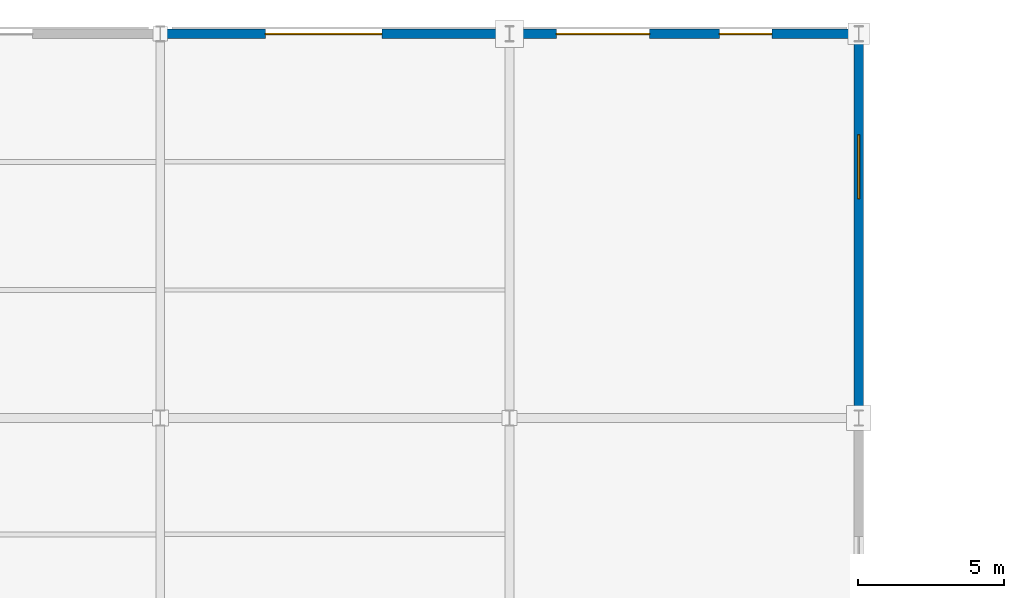
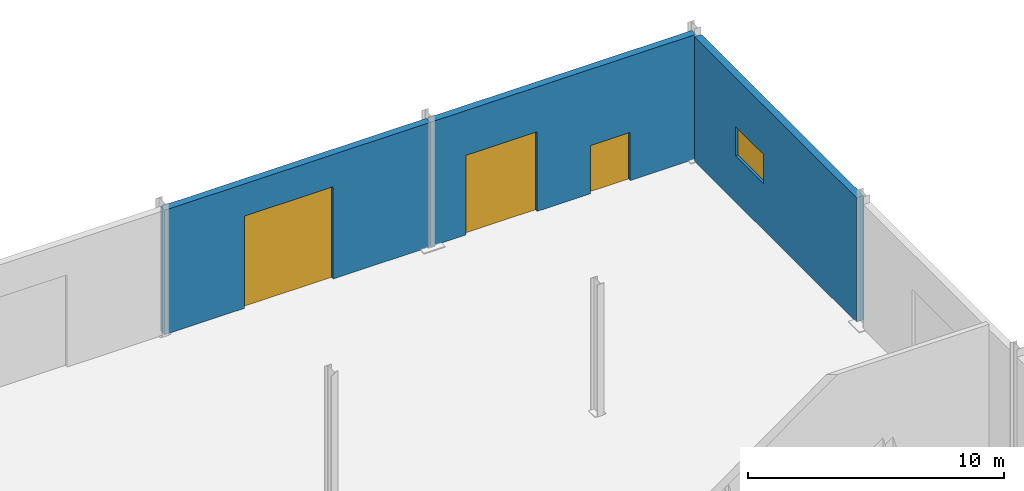
# One storey, part 177 of 196: 3 doors, 3 walls, 1 window, 4 openings.
"""IFC4 building model written with IfcOpenShell, lengths in metres."""

import ifcopenshell
import ifcopenshell.guid

model = None  # the IFC model being written
_history = None  # IfcOwnerHistory: only IFC2X3 demands one
_inside = {}  # id of a spatial element -> (the spatial element, [elements in it])
_under = {}  # id of a project, library or spatial element -> (it, [spatial elements below it])
_declared = {}  # id of a project -> (the project, [libraries it declares])
_typed = {}  # id of a type object -> (the type object, [elements of that type])
_made_of = {}  # id of a material, layer set ... -> (it, [elements and type objects made of it])


def new_model(schema):
    """Start an empty IFC model of exactly this schema.

    Asked for "IFC4X3", IfcOpenShell would pick the latest addendum, in which some entities
    have other attributes; the version numbers below select the first issue.
    IFC2X3 requires an IfcOwnerHistory on every rooted entity: one is made here for all.
    """
    global model, _history
    if schema == "IFC4X3":
        model = ifcopenshell.file(schema_version=(4, 3, 0, 0))
    else:
        model = ifcopenshell.file(schema=schema)
    _inside.clear()
    _under.clear()
    _declared.clear()
    _typed.clear()
    _made_of.clear()
    _history = None
    if model.schema == "IFC2X3":
        org = make("IfcOrganization", Name="unknown")
        user = make(
            "IfcPersonAndOrganization",
            ThePerson=make("IfcPerson", FamilyName="unknown"),
            TheOrganization=org,
        )
        app = make(
            "IfcApplication",
            ApplicationDeveloper=org,
            Version="unknown",
            ApplicationFullName="unknown",
            ApplicationIdentifier="unknown",
        )
        _history = make(
            "IfcOwnerHistory",
            OwningUser=user,
            OwningApplication=app,
            ChangeAction="ADDED",
            CreationDate=0,
        )
    return model


def make(cls, **values):
    """One entity of the class cls with the attributes given. An attribute that is None is left unset."""
    return model.create_entity(
        cls, **{name: value for name, value in values.items() if value is not None}
    )


def rooted(cls, **values):
    """An entity with a GlobalId (a new one), such as an element, a storey or a relation."""
    return make(cls, GlobalId=ifcopenshell.guid.new(), OwnerHistory=_history, **values)


def si_unit(unit_type, name, prefix=None):
    """IfcSIUnit, for example si_unit("LENGTHUNIT", "METRE", prefix="MILLI")."""
    return make("IfcSIUnit", UnitType=unit_type, Prefix=prefix, Name=name)


def assignment(units):
    """IfcUnitAssignment: the units of a project."""
    return None if units is None else make("IfcUnitAssignment", Units=units)


def point(xyz):
    """IfcCartesianPoint."""
    return None if xyz is None else make("IfcCartesianPoint", Coordinates=xyz)


def direction(xyz):
    """IfcDirection."""
    return None if xyz is None else make("IfcDirection", DirectionRatios=xyz)


def frame(location, z_axis=None, x_axis=None):
    """IfcAxis2Placement3D, a coordinate frame: its origin and axes. An axis left out is left unset."""
    return make(
        "IfcAxis2Placement3D",
        Location=point(location),
        Axis=direction(z_axis),
        RefDirection=direction(x_axis),
    )


def frame_2d(location, x_axis=None):
    """IfcAxis2Placement2D, a coordinate frame in the plane: its origin and x axis."""
    return make(
        "IfcAxis2Placement2D", Location=point(location), RefDirection=direction(x_axis)
    )


def origin():
    """The frame at (0, 0, 0) with its axes left unset."""
    return frame((0.0, 0.0, 0.0))


def place(relative_to, where):
    """IfcLocalPlacement: puts the frame where relative to a parent placement (None: the world)."""
    return make(
        "IfcLocalPlacement", PlacementRelTo=relative_to, RelativePlacement=where
    )


def context(
    kind, dimensions, precision=None, world=None, true_north=None, identifier=None
):
    """IfcGeometricRepresentationContext, for example the 3D "Model" context."""
    return make(
        "IfcGeometricRepresentationContext",
        ContextIdentifier=identifier,
        ContextType=kind,
        CoordinateSpaceDimension=dimensions,
        Precision=precision,
        WorldCoordinateSystem=world,
        TrueNorth=true_north,
    )


def subcontext(parent, identifier, kind, view, scale=None):
    """IfcGeometricRepresentationSubContext, for example "Body" below "Model"."""
    return make(
        "IfcGeometricRepresentationSubContext",
        ContextIdentifier=identifier,
        ContextType=kind,
        ParentContext=parent,
        TargetScale=scale,
        TargetView=view,
    )


def project(units=None, contexts=None):
    """IfcProject with its units and contexts."""
    return rooted(
        "IfcProject",
        Name="project",
        RepresentationContexts=contexts,
        UnitsInContext=assignment(units),
    )


def spatial(cls, under=None, at=None, **own):
    """A site, building, storey or space (cls), placed at a placement, below another one or the project."""
    s = rooted(cls, ObjectPlacement=at, **own)
    if under is not None:
        _under.setdefault(under.id(), (under, []))[1].append(s)
    return s


def profile(cls, at=None, kind="AREA", **sizes):
    """A parametric profile (cls). Its sizes go by their IFC names, for example OverallWidth=200.0."""
    return make(cls, ProfileType=kind, Position=at, **sizes)


def rectangle(**sizes):
    """IfcRectangleProfileDef."""
    return profile("IfcRectangleProfileDef", **sizes)


def extrude(swept, where, along, depth):
    """IfcExtrudedAreaSolid: the profile swept, set in the frame where, extruded along a direction by depth."""
    return make(
        "IfcExtrudedAreaSolid",
        SweptArea=swept,
        Position=where,
        ExtrudedDirection=direction(along),
        Depth=depth,
    )


def shape(context_of_items, identifier, shape_type, items):
    """IfcShapeRepresentation: the items that make up one representation, for example the "Body"."""
    return make(
        "IfcShapeRepresentation",
        ContextOfItems=context_of_items,
        RepresentationIdentifier=identifier,
        RepresentationType=shape_type,
        Items=items,
    )


def material(Name=None, Category=None):
    """IfcMaterial."""
    return make("IfcMaterial", Name=Name, Category=Category)


def layer(
    of_material, thickness, ventilated=None, Name=None, Category=None, Priority=None
):
    """IfcMaterialLayer: one layer of a wall or slab, of a material (None: an air gap)."""
    return make(
        "IfcMaterialLayer",
        Material=of_material,
        LayerThickness=thickness,
        IsVentilated=ventilated,
        Name=Name,
        Category=Category,
        Priority=Priority,
    )


def layer_set(layers, Name=None):
    """IfcMaterialLayerSet."""
    return make("IfcMaterialLayerSet", MaterialLayers=layers, LayerSetName=Name)


def made_of(thing, what):
    """Note that an element or type object is made of a material, layer set ...; save() writes the relation."""
    if what is not None:
        _made_of.setdefault(what.id(), (what, []))[1].append(thing)
    return thing


def type_object(cls, material=None, **own):
    """A type object (cls), such as IfcWallType, which elements share."""
    return made_of(rooted(cls, **own), material)


def element(
    cls,
    number,
    at=None,
    inside=None,
    cuts=None,
    type_object=None,
    material=None,
    context=None,
    identifier="Body",
    shape_type=None,
    held_by="IfcProductDefinitionShape",
    body=None,
    shapes=None,
    **own,
):
    """One element of the class cls, such as IfcWall. Its Tag is "e" and its number.

    at: its placement. inside: the storey or other place that contains it. cuts: it is an
    opening in that element (IfcRelVoidsElement). A single representation is given by context,
    identifier, shape_type and body (its items); several are given by shapes. held_by: the class
    of the entity that holds the representations. save() writes the other relations.
    """
    e = rooted(cls, Tag="e%d" % number, ObjectPlacement=at, **own)
    if body is not None:
        shapes = [shape(context, identifier, shape_type, body)]
    if shapes is not None:
        e.Representation = make(held_by, Representations=shapes)
    if inside is not None:
        _inside.setdefault(inside.id(), (inside, []))[1].append(e)
    if cuts is not None:
        rooted(
            "IfcRelVoidsElement", RelatingBuildingElement=cuts, RelatedOpeningElement=e
        )
    if type_object is not None:
        _typed.setdefault(type_object.id(), (type_object, []))[1].append(e)
    return made_of(e, material)


def fill(opening, filler):
    """IfcRelFillsElement: the door or window that sits in an opening."""
    return rooted(
        "IfcRelFillsElement",
        RelatingOpeningElement=opening,
        RelatedBuildingElement=filler,
    )


def aggregate(whole, parts):
    """IfcRelAggregates: a whole, such as a stair, and the parts it consists of."""
    return rooted("IfcRelAggregates", RelatingObject=whole, RelatedObjects=parts)


def save(model, path):
    """Write the relations noted so far, then the file.

    IfcRelAggregates (storeys below a building ...), IfcRelContainedInSpatialStructure (elements
    in a storey), IfcRelDefinesByType, IfcRelAssociatesMaterial and IfcRelDeclares: one each for
    every whole, place, type object, material and project.
    """
    for whole, parts in _under.values():
        aggregate(whole, parts)
    for where, things in _inside.values():
        rooted(
            "IfcRelContainedInSpatialStructure",
            RelatedElements=things,
            RelatingStructure=where,
        )
    for kind, things in _typed.values():
        rooted("IfcRelDefinesByType", RelatedObjects=things, RelatingType=kind)
    for what, things in _made_of.values():
        rooted("IfcRelAssociatesMaterial", RelatedObjects=things, RelatingMaterial=what)
    for by, libraries in _declared.values():
        rooted("IfcRelDeclares", RelatingContext=by, RelatedDefinitions=libraries)
    model.write(path)


model = new_model("IFC4")

# Units and contexts
model_context = context("Model", 3, precision=1e-05, world=origin(), true_north=direction((0.0, 1.0)))
body_context = subcontext(model_context, "Body", "Model", "MODEL_VIEW")
ifc_project = project(units=[si_unit("LENGTHUNIT", "METRE"), si_unit("AREAUNIT", "SQUARE_METRE"), si_unit("VOLUMEUNIT", "CUBIC_METRE"), si_unit("PLANEANGLEUNIT", "RADIAN"), si_unit("MASSUNIT", "GRAM", prefix="KILO")], contexts=[model_context])

# Site, building, storey
site_placement = place(None, origin())
site = spatial("IfcSite", under=ifc_project, at=site_placement, CompositionType="ELEMENT")
building_placement = place(site_placement, origin())
building = spatial("IfcBuilding", under=site, at=building_placement, Name="Merenkruunu Market Hall", CompositionType="ELEMENT")
storey_placement = place(building_placement, origin())
storey = spatial("IfcBuildingStorey", under=building, at=storey_placement, Name="L00", CompositionType="ELEMENT", Elevation=0.0)

# Wall, opening, door
ifc_material_1 = material(Name="Ribbed insulated steel cladding", Category="steel")
ifc_layer_1 = layer(ifc_material_1, 0.320068359375)
ifc_layer_set_1 = layer_set([ifc_layer_1], Name="Ribbed insulated steel cladding")
wall_type = type_object("IfcWallType", Name="Exterior Envelope Wall EW04", PredefinedType="STANDARD", material=ifc_layer_set_1)
wall_1_placement = place(storey_placement, frame((124.810302734375, 124.800048828125, 0.0), z_axis=(0.0, 0.0, 1.0), x_axis=(1.0, 0.0, 0.0)))
wall_1 = element("IfcWall", 1, at=wall_1_placement, inside=storey, type_object=wall_type, Name="WALL-EXT-L00-0043", PredefinedType="STANDARD", context=body_context, shape_type="SweptSolid", body=[
    extrude(rectangle(XDim=11.9794921875, YDim=0.320068359375, at=frame_2d((5.98974609375, 0.0))), origin(), (0.0, 0.0, 1.0), 5.93505859375),
])
opening_1_placement = place(wall_1_placement, frame((3.60009765625, 0.0, 0.0)))
opening_1 = element("IfcOpeningElement", 2, at=opening_1_placement, cuts=wall_1, Name="Opening SHG01", PredefinedType="OPENING", context=body_context, shape_type="SweptSolid", body=[
    extrude(rectangle(XDim=4.0, YDim=4.39990234375, at=frame_2d((2.0, 2.199951171875))), frame((0.0, 0.169921875, 0.0), z_axis=(0.0, -1.0, 0.0), x_axis=(1.0, 0.0, 0.0)), (0.0, 0.0, 1.0), 0.340087890625),
])
ifc_material_2 = material(Name="Powder-coated aluminium", Category="aluminium")
door_type_1 = type_object("IfcDoorType", Name="Loading Dock Sectional Gate SHG01", OperationType="NOTDEFINED", PredefinedType="GATE", material=ifc_material_2)
door_1_placement = place(opening_1_placement, origin())
door_1 = element("IfcDoor", 3, at=door_1_placement, inside=storey, type_object=door_type_1, Name="Loading dock gate SH05", OperationType="ROLLINGUP", OverallHeight=4.39990234375, OverallWidth=4.0, PredefinedType="GATE", context=body_context, shape_type="SweptSolid", body=[
    extrude(rectangle(XDim=4.0, YDim=4.39990234375, at=frame_2d((2.0, 2.199951171875))), frame((0.0, 0.02490234375, 0.0), z_axis=(0.0, -1.0, 0.0), x_axis=(1.0, 0.0, 0.0)), (0.0, 0.0, 1.0), 0.050048828125),
])
fill(opening_1, door_1)

# Wall, openings, doors
wall_2_placement = place(storey_placement, frame((136.810302734375, 124.800048828125, 0.0), z_axis=(0.0, 0.0, 1.0), x_axis=(1.0, 0.0, 0.0)))
wall_2 = element("IfcWall", 4, at=wall_2_placement, inside=storey, type_object=wall_type, Name="WALL-EXT-L00-0044", PredefinedType="STANDARD", context=body_context, shape_type="SweptSolid", body=[
    extrude(rectangle(XDim=11.9794921875, YDim=0.320068359375, at=frame_2d((5.98974609375, 0.0))), origin(), (0.0, 0.0, 1.0), 5.93505859375),
])
opening_2_placement = place(wall_2_placement, frame((1.60009765625, 0.0, 0.0)))
opening_2 = element("IfcOpeningElement", 5, at=opening_2_placement, cuts=wall_2, Name="Opening SHG03", PredefinedType="OPENING", context=body_context, shape_type="SweptSolid", body=[
    extrude(rectangle(XDim=3.199951171875, YDim=3.800048828125, at=frame_2d((1.60009765625, 1.89990234375))), frame((0.0, 0.169921875, 0.0), z_axis=(0.0, -1.0, 0.0), x_axis=(1.0, 0.0, 0.0)), (0.0, 0.0, 1.0), 0.340087890625),
])
opening_3_placement = place(wall_2_placement, frame((7.199951171875, 0.0, 0.0)))
opening_3 = element("IfcOpeningElement", 6, at=opening_3_placement, cuts=wall_2, Name="Opening EXD04", PredefinedType="OPENING", context=body_context, shape_type="SweptSolid", body=[
    extrude(rectangle(XDim=1.800048828125, YDim=2.300048828125, at=frame_2d((0.89990234375, 1.14990234375))), frame((0.0, 0.169921875, 0.0), z_axis=(0.0, -1.0, 0.0), x_axis=(1.0, 0.0, 0.0)), (0.0, 0.0, 1.0), 0.340087890625),
])
door_type_2 = type_object("IfcDoorType", Name="Loading Dock Sectional Gate SHG03", OperationType="NOTDEFINED", PredefinedType="GATE", material=ifc_material_2)
door_2_placement = place(opening_2_placement, origin())
door_2 = element("IfcDoor", 7, at=door_2_placement, inside=storey, type_object=door_type_2, Name="Loading dock gate SH08", OperationType="ROLLINGUP", OverallHeight=3.800048828125, OverallWidth=3.199951171875, PredefinedType="GATE", context=body_context, shape_type="SweptSolid", body=[
    extrude(rectangle(XDim=3.199951171875, YDim=3.800048828125, at=frame_2d((1.60009765625, 1.89990234375))), frame((0.0, 0.02490234375, 0.0), z_axis=(0.0, -1.0, 0.0), x_axis=(1.0, 0.0, 0.0)), (0.0, 0.0, 1.0), 0.050048828125),
])
fill(opening_2, door_2)
door_type_3 = type_object("IfcDoorType", Name="Pedestrian Exit Door EXD04", OperationType="NOTDEFINED", PredefinedType="DOOR", material=ifc_material_2)
door_3_placement = place(opening_3_placement, origin())
door_3 = element("IfcDoor", 8, at=door_3_placement, inside=storey, type_object=door_type_3, Name="EX-22", OperationType="DOUBLE_DOOR_SINGLE_SWING", OverallHeight=2.300048828125, OverallWidth=1.800048828125, PredefinedType="DOOR", context=body_context, shape_type="SweptSolid", body=[
    extrude(rectangle(XDim=1.800048828125, YDim=2.300048828125, at=frame_2d((0.89990234375, 1.14990234375))), frame((0.0, 0.02490234375, 0.0), z_axis=(0.0, -1.0, 0.0), x_axis=(1.0, 0.0, 0.0)), (0.0, 0.0, 1.0), 0.050048828125),
])
fill(opening_3, door_3)

# Wall, opening, window
wall_3_placement = place(storey_placement, frame((148.800048828125, 124.52587890625, 0.0), z_axis=(0.0, 0.0, 1.0), x_axis=(0.0, -1.0, 0.0)))
wall_3 = element("IfcWall", 9, at=wall_3_placement, inside=storey, type_object=wall_type, Name="WALL-EXT-L00-0050", PredefinedType="STANDARD", context=body_context, shape_type="SweptSolid", body=[
    extrude(rectangle(XDim=12.65185546875, YDim=0.320068359375, at=frame_2d((6.325927734375, 0.0))), origin(), (0.0, 0.0, 1.0), 5.93505859375),
])
opening_4_placement = place(wall_3_placement, frame((3.199951171875, 0.0, 2.199951171875)))
opening_4 = element("IfcOpeningElement", 10, at=opening_4_placement, cuts=wall_3, Name="Opening WN15", PredefinedType="OPENING", context=body_context, shape_type="SweptSolid", body=[
    extrude(rectangle(XDim=2.199951171875, YDim=1.39990234375, at=frame_2d((1.10009765625, 0.699951171875))), frame((0.0, 0.169921875, 0.0), z_axis=(0.0, -1.0, 0.0), x_axis=(1.0, 0.0, 0.0)), (0.0, 0.0, 1.0), 0.340087890625),
])
ifc_material_3 = material(Name="Triple low-E insulated glass", Category="glass")
ifc_layer_2 = layer(ifc_material_3, 0.06005859375)
ifc_layer_set_2 = layer_set([ifc_layer_2], Name="Triple low-E insulated glass")
window_type = type_object("IfcWindowType", Name="Exterior Window WN15", PartitioningType="SINGLE_PANEL", PredefinedType="WINDOW", material=ifc_layer_set_2)
window_placement = place(opening_4_placement, origin())
window = element("IfcWindow", 11, at=window_placement, inside=storey, type_object=window_type, Name="WIN-L00-0013", OverallHeight=1.39990234375, OverallWidth=2.199951171875, PartitioningType="SINGLE_PANEL", PredefinedType="WINDOW", context=body_context, shape_type="SweptSolid", body=[
    extrude(rectangle(XDim=2.199951171875, YDim=1.39990234375, at=frame_2d((1.10009765625, 0.699951171875))), frame((0.0, 0.030029296875, 0.0), z_axis=(0.0, -1.0, 0.0), x_axis=(1.0, 0.0, 0.0)), (0.0, 0.0, 1.0), 0.06005859375),
])
fill(opening_4, window)

save(model, "model.ifc")
